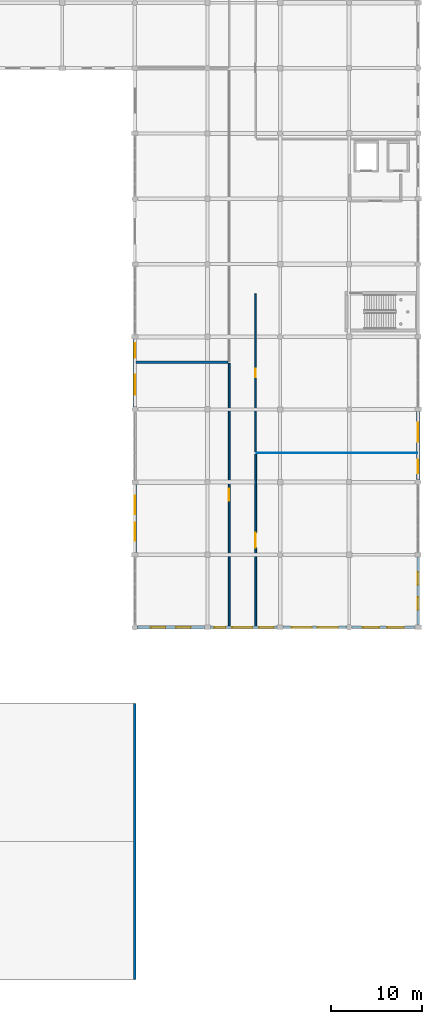
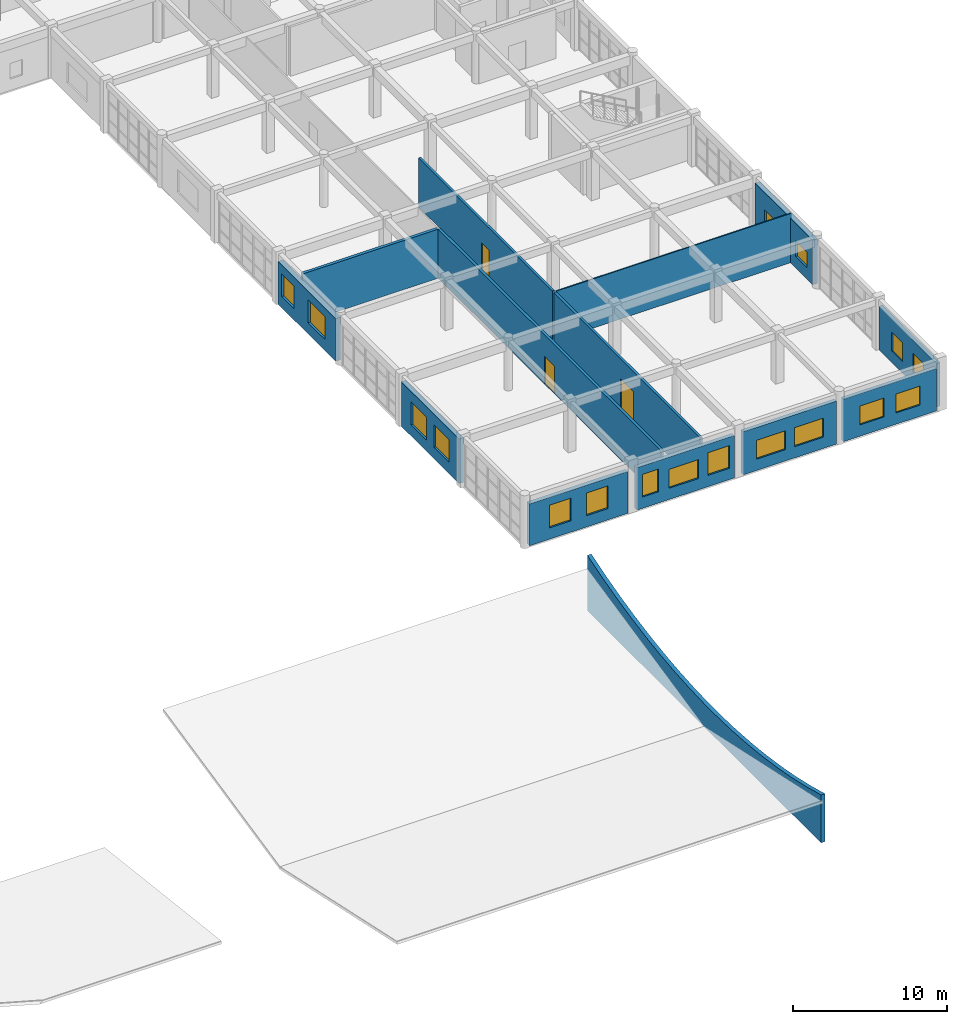
# One storey, part 44 of 53: 17 windows, 14 walls, 3 doors, 20 openings.
"""IFC4 building model written with IfcOpenShell, lengths in metres."""

import ifcopenshell
import ifcopenshell.guid

model = None  # the IFC model being written
_history = None  # IfcOwnerHistory: only IFC2X3 demands one
_inside = {}  # id of a spatial element -> (the spatial element, [elements in it])
_under = {}  # id of a project, library or spatial element -> (it, [spatial elements below it])
_declared = {}  # id of a project -> (the project, [libraries it declares])
_typed = {}  # id of a type object -> (the type object, [elements of that type])
_made_of = {}  # id of a material, layer set ... -> (it, [elements and type objects made of it])


def new_model(schema):
    """Start an empty IFC model of exactly this schema.

    Asked for "IFC4X3", IfcOpenShell would pick the latest addendum, in which some entities
    have other attributes; the version numbers below select the first issue.
    IFC2X3 requires an IfcOwnerHistory on every rooted entity: one is made here for all.
    """
    global model, _history
    if schema == "IFC4X3":
        model = ifcopenshell.file(schema_version=(4, 3, 0, 0))
    else:
        model = ifcopenshell.file(schema=schema)
    _inside.clear()
    _under.clear()
    _declared.clear()
    _typed.clear()
    _made_of.clear()
    _history = None
    if model.schema == "IFC2X3":
        org = make("IfcOrganization", Name="unknown")
        user = make(
            "IfcPersonAndOrganization",
            ThePerson=make("IfcPerson", FamilyName="unknown"),
            TheOrganization=org,
        )
        app = make(
            "IfcApplication",
            ApplicationDeveloper=org,
            Version="unknown",
            ApplicationFullName="unknown",
            ApplicationIdentifier="unknown",
        )
        _history = make(
            "IfcOwnerHistory",
            OwningUser=user,
            OwningApplication=app,
            ChangeAction="ADDED",
            CreationDate=0,
        )
    return model


def make(cls, **values):
    """One entity of the class cls with the attributes given. An attribute that is None is left unset."""
    return model.create_entity(
        cls, **{name: value for name, value in values.items() if value is not None}
    )


def rooted(cls, **values):
    """An entity with a GlobalId (a new one), such as an element, a storey or a relation."""
    return make(cls, GlobalId=ifcopenshell.guid.new(), OwnerHistory=_history, **values)


def si_unit(unit_type, name, prefix=None):
    """IfcSIUnit, for example si_unit("LENGTHUNIT", "METRE", prefix="MILLI")."""
    return make("IfcSIUnit", UnitType=unit_type, Prefix=prefix, Name=name)


def assignment(units):
    """IfcUnitAssignment: the units of a project."""
    return None if units is None else make("IfcUnitAssignment", Units=units)


def point(xyz):
    """IfcCartesianPoint."""
    return None if xyz is None else make("IfcCartesianPoint", Coordinates=xyz)


def direction(xyz):
    """IfcDirection."""
    return None if xyz is None else make("IfcDirection", DirectionRatios=xyz)


def frame(location, z_axis=None, x_axis=None):
    """IfcAxis2Placement3D, a coordinate frame: its origin and axes. An axis left out is left unset."""
    return make(
        "IfcAxis2Placement3D",
        Location=point(location),
        Axis=direction(z_axis),
        RefDirection=direction(x_axis),
    )


def frame_2d(location, x_axis=None):
    """IfcAxis2Placement2D, a coordinate frame in the plane: its origin and x axis."""
    return make(
        "IfcAxis2Placement2D", Location=point(location), RefDirection=direction(x_axis)
    )


def origin():
    """The frame at (0, 0, 0) with its axes left unset."""
    return frame((0.0, 0.0, 0.0))


def place(relative_to, where):
    """IfcLocalPlacement: puts the frame where relative to a parent placement (None: the world)."""
    return make(
        "IfcLocalPlacement", PlacementRelTo=relative_to, RelativePlacement=where
    )


def context(
    kind, dimensions, precision=None, world=None, true_north=None, identifier=None
):
    """IfcGeometricRepresentationContext, for example the 3D "Model" context."""
    return make(
        "IfcGeometricRepresentationContext",
        ContextIdentifier=identifier,
        ContextType=kind,
        CoordinateSpaceDimension=dimensions,
        Precision=precision,
        WorldCoordinateSystem=world,
        TrueNorth=true_north,
    )


def subcontext(parent, identifier, kind, view, scale=None):
    """IfcGeometricRepresentationSubContext, for example "Body" below "Model"."""
    return make(
        "IfcGeometricRepresentationSubContext",
        ContextIdentifier=identifier,
        ContextType=kind,
        ParentContext=parent,
        TargetScale=scale,
        TargetView=view,
    )


def project(units=None, contexts=None):
    """IfcProject with its units and contexts."""
    return rooted(
        "IfcProject",
        Name="project",
        RepresentationContexts=contexts,
        UnitsInContext=assignment(units),
    )


def spatial(cls, under=None, at=None, **own):
    """A site, building, storey or space (cls), placed at a placement, below another one or the project."""
    s = rooted(cls, ObjectPlacement=at, **own)
    if under is not None:
        _under.setdefault(under.id(), (under, []))[1].append(s)
    return s


def polyline(points):
    """IfcPolyline through the points."""
    return make("IfcPolyline", Points=[point(p) for p in points])


def profile(cls, at=None, kind="AREA", **sizes):
    """A parametric profile (cls). Its sizes go by their IFC names, for example OverallWidth=200.0."""
    return make(cls, ProfileType=kind, Position=at, **sizes)


def rectangle(**sizes):
    """IfcRectangleProfileDef."""
    return profile("IfcRectangleProfileDef", **sizes)


def outline(outer, holes=None, kind="AREA"):
    """IfcArbitraryClosedProfileDef: a profile drawn as a closed curve; with holes, ...WithVoids."""
    if holes is None:
        return make("IfcArbitraryClosedProfileDef", ProfileType=kind, OuterCurve=outer)
    return make(
        "IfcArbitraryProfileDefWithVoids",
        ProfileType=kind,
        OuterCurve=outer,
        InnerCurves=holes,
    )


def extrude(swept, where, along, depth):
    """IfcExtrudedAreaSolid: the profile swept, set in the frame where, extruded along a direction by depth."""
    return make(
        "IfcExtrudedAreaSolid",
        SweptArea=swept,
        Position=where,
        ExtrudedDirection=direction(along),
        Depth=depth,
    )


def shape(context_of_items, identifier, shape_type, items):
    """IfcShapeRepresentation: the items that make up one representation, for example the "Body"."""
    return make(
        "IfcShapeRepresentation",
        ContextOfItems=context_of_items,
        RepresentationIdentifier=identifier,
        RepresentationType=shape_type,
        Items=items,
    )


def material(Name=None, Category=None):
    """IfcMaterial."""
    return make("IfcMaterial", Name=Name, Category=Category)


def layer(
    of_material, thickness, ventilated=None, Name=None, Category=None, Priority=None
):
    """IfcMaterialLayer: one layer of a wall or slab, of a material (None: an air gap)."""
    return make(
        "IfcMaterialLayer",
        Material=of_material,
        LayerThickness=thickness,
        IsVentilated=ventilated,
        Name=Name,
        Category=Category,
        Priority=Priority,
    )


def layer_set(layers, Name=None):
    """IfcMaterialLayerSet."""
    return make("IfcMaterialLayerSet", MaterialLayers=layers, LayerSetName=Name)


def made_of(thing, what):
    """Note that an element or type object is made of a material, layer set ...; save() writes the relation."""
    if what is not None:
        _made_of.setdefault(what.id(), (what, []))[1].append(thing)
    return thing


def type_object(cls, material=None, **own):
    """A type object (cls), such as IfcWallType, which elements share."""
    return made_of(rooted(cls, **own), material)


def element(
    cls,
    number,
    at=None,
    inside=None,
    cuts=None,
    type_object=None,
    material=None,
    context=None,
    identifier="Body",
    shape_type=None,
    held_by="IfcProductDefinitionShape",
    body=None,
    shapes=None,
    **own,
):
    """One element of the class cls, such as IfcWall. Its Tag is "e" and its number.

    at: its placement. inside: the storey or other place that contains it. cuts: it is an
    opening in that element (IfcRelVoidsElement). A single representation is given by context,
    identifier, shape_type and body (its items); several are given by shapes. held_by: the class
    of the entity that holds the representations. save() writes the other relations.
    """
    e = rooted(cls, Tag="e%d" % number, ObjectPlacement=at, **own)
    if body is not None:
        shapes = [shape(context, identifier, shape_type, body)]
    if shapes is not None:
        e.Representation = make(held_by, Representations=shapes)
    if inside is not None:
        _inside.setdefault(inside.id(), (inside, []))[1].append(e)
    if cuts is not None:
        rooted(
            "IfcRelVoidsElement", RelatingBuildingElement=cuts, RelatedOpeningElement=e
        )
    if type_object is not None:
        _typed.setdefault(type_object.id(), (type_object, []))[1].append(e)
    return made_of(e, material)


def fill(opening, filler):
    """IfcRelFillsElement: the door or window that sits in an opening."""
    return rooted(
        "IfcRelFillsElement",
        RelatingOpeningElement=opening,
        RelatedBuildingElement=filler,
    )


def aggregate(whole, parts):
    """IfcRelAggregates: a whole, such as a stair, and the parts it consists of."""
    return rooted("IfcRelAggregates", RelatingObject=whole, RelatedObjects=parts)


def save(model, path):
    """Write the relations noted so far, then the file.

    IfcRelAggregates (storeys below a building ...), IfcRelContainedInSpatialStructure (elements
    in a storey), IfcRelDefinesByType, IfcRelAssociatesMaterial and IfcRelDeclares: one each for
    every whole, place, type object, material and project.
    """
    for whole, parts in _under.values():
        aggregate(whole, parts)
    for where, things in _inside.values():
        rooted(
            "IfcRelContainedInSpatialStructure",
            RelatedElements=things,
            RelatingStructure=where,
        )
    for kind, things in _typed.values():
        rooted("IfcRelDefinesByType", RelatedObjects=things, RelatingType=kind)
    for what, things in _made_of.values():
        rooted("IfcRelAssociatesMaterial", RelatedObjects=things, RelatingMaterial=what)
    for by, libraries in _declared.values():
        rooted("IfcRelDeclares", RelatingContext=by, RelatedDefinitions=libraries)
    model.write(path)


model = new_model("IFC4")

# Units and contexts
model_context = context("Model", 3, precision=1e-05, world=origin(), true_north=direction((0.0, 1.0)))
body_context = subcontext(model_context, "Body", "Model", "MODEL_VIEW")
ifc_project = project(units=[si_unit("LENGTHUNIT", "METRE"), si_unit("AREAUNIT", "SQUARE_METRE"), si_unit("VOLUMEUNIT", "CUBIC_METRE"), si_unit("PLANEANGLEUNIT", "RADIAN"), si_unit("MASSUNIT", "GRAM", prefix="KILO")], contexts=[model_context])

# Site, building, storey
site_placement = place(None, origin())
site = spatial("IfcSite", under=ifc_project, at=site_placement, CompositionType="ELEMENT")
building_placement = place(site_placement, origin())
building = spatial("IfcBuilding", under=site, at=building_placement, Name="Kharva Crest Polytechnic", CompositionType="ELEMENT")
storey_placement = place(building_placement, frame((0.0, 0.0, 17.39990234375)))
storey = spatial("IfcBuildingStorey", under=building, at=storey_placement, Name="L04", CompositionType="ELEMENT", Elevation=17.39990234375)

# Wall, openings, windows
ifc_material_1 = material(Name="Kiln brick masonry", Category="masonry")
ifc_layer_1 = layer(ifc_material_1, 0.260009765625, Name="Kiln brick masonry")
ifc_layer_set_1 = layer_set([ifc_layer_1], Name="Kiln brick masonry")
wall_type_1 = type_object("IfcWallType", Name="WL-EXT-BRK-260", PredefinedType="SOLIDWALL", material=ifc_layer_set_1)
wall_1_placement = place(storey_placement, frame((184.0, 39.044921875, 0.0), z_axis=(0.0, 0.0, 1.0), x_axis=(0.0, 1.0, 0.0)))
wall_1 = element("IfcWall", 1, at=wall_1_placement, inside=storey, type_object=wall_type_1, Name="L04 Exterior Brick Wall 415", PredefinedType="SOLIDWALL", context=body_context, shape_type="SweptSolid", body=[
    extrude(rectangle(XDim=7.510009765625, YDim=0.260009765625, at=frame_2d((3.7548828125, 0.0))), origin(), (0.0, 0.0, 1.0), 3.4501953125),
])
opening_1_placement = place(wall_1_placement, frame((1.677001953125, 0.0, 0.89990234375)))
opening_1 = element("IfcOpeningElement", 2, at=opening_1_placement, cuts=wall_1, Name="Opening W15", PredefinedType="OPENING", context=body_context, shape_type="SweptSolid", body=[
    extrude(rectangle(XDim=1.39990234375, YDim=1.5, at=frame_2d((0.699951171875, 0.75))), frame((0.0, 0.139892578125, 0.0), z_axis=(0.0, -1.0, 0.0), x_axis=(1.0, 0.0, 0.0)), (0.0, 0.0, 1.0), 0.280029296875),
])
opening_2_placement = place(wall_1_placement, frame((4.43310546875, 0.0, 0.89990234375)))
opening_2 = element("IfcOpeningElement", 3, at=opening_2_placement, cuts=wall_1, Name="Opening W15", PredefinedType="OPENING", context=body_context, shape_type="SweptSolid", body=[
    extrude(rectangle(XDim=1.39990234375, YDim=1.5, at=frame_2d((0.699951171875, 0.75))), frame((0.0, 0.139892578125, 0.0), z_axis=(0.0, -1.0, 0.0), x_axis=(1.0, 0.0, 0.0)), (0.0, 0.0, 1.0), 0.280029296875),
])
ifc_material_2 = material(Name="Anodised aluminium", Category="aluminium")
window_type_1 = type_object("IfcWindowType", Name="WIN-ALU-1400X1500", PartitioningType="SINGLE_PANEL", PredefinedType="WINDOW", material=ifc_material_2)
window_1_placement = place(opening_1_placement, origin())
window_1 = element("IfcWindow", 4, at=window_1_placement, inside=storey, type_object=window_type_1, Name="L04 Exterior Window 586", OverallHeight=1.5, OverallWidth=1.39990234375, PartitioningType="SINGLE_PANEL", PredefinedType="WINDOW", context=body_context, shape_type="SweptSolid", body=[
    extrude(rectangle(XDim=1.39990234375, YDim=1.5, at=frame_2d((0.699951171875, 0.75))), frame((0.0, 0.030029296875, 0.0), z_axis=(0.0, -1.0, 0.0), x_axis=(1.0, 0.0, 0.0)), (0.0, 0.0, 1.0), 0.06005859375),
])
fill(opening_1, window_1)
window_2_placement = place(opening_2_placement, origin())
window_2 = element("IfcWindow", 5, at=window_2_placement, inside=storey, type_object=window_type_1, Name="L04 Exterior Window 587", OverallHeight=1.5, OverallWidth=1.39990234375, PartitioningType="SINGLE_PANEL", PredefinedType="WINDOW", context=body_context, shape_type="SweptSolid", body=[
    extrude(rectangle(XDim=1.39990234375, YDim=1.5, at=frame_2d((0.699951171875, 0.75))), frame((0.0, 0.030029296875, 0.0), z_axis=(0.0, -1.0, 0.0), x_axis=(1.0, 0.0, 0.0)), (0.0, 0.0, 1.0), 0.06005859375),
])
fill(opening_2, window_2)

ifc_layer_2 = layer(ifc_material_1, 0.27490234375, Name="Kiln brick masonry")
ifc_layer_set_2 = layer_set([ifc_layer_2], Name="Kiln brick masonry")
wall_type_2 = type_object("IfcWallType", Name="WL-EXT-BRK-275", PredefinedType="SOLIDWALL", material=ifc_layer_set_2)
wall_2_placement = place(storey_placement, frame((176.668701171875, 38.800048828125, 0.0), z_axis=(0.0, 0.0, 1.0), x_axis=(1.0, 0.0, 0.0)))
wall_2 = element("IfcWall", 6, at=wall_2_placement, inside=storey, type_object=wall_type_2, Name="L04 Exterior Brick Wall 414", PredefinedType="SOLIDWALL", context=body_context, shape_type="SweptSolid", body=[
    extrude(rectangle(XDim=6.986328125, YDim=0.27490234375, at=frame_2d((3.4931640625, 0.0))), origin(), (0.0, 0.0, 1.0), 3.3701171875),
])
opening_3_placement = place(wall_2_placement, frame((1.235107421875, 0.0, 0.89990234375)))
opening_3 = element("IfcOpeningElement", 7, at=opening_3_placement, cuts=wall_2, Name="Opening W13", PredefinedType="OPENING", context=body_context, shape_type="SweptSolid", body=[
    extrude(rectangle(XDim=1.800048828125, YDim=1.5, at=frame_2d((0.89990234375, 0.75))), frame((0.0, 0.1474609375, 0.0), z_axis=(0.0, -1.0, 0.0), x_axis=(1.0, 0.0, 0.0)), (0.0, 0.0, 1.0), 0.294921875),
])
opening_4_placement = place(wall_2_placement, frame((3.950927734375, 0.0, 0.89990234375)))
opening_4 = element("IfcOpeningElement", 8, at=opening_4_placement, cuts=wall_2, Name="Opening W13", PredefinedType="OPENING", context=body_context, shape_type="SweptSolid", body=[
    extrude(rectangle(XDim=1.800048828125, YDim=1.5, at=frame_2d((0.89990234375, 0.75))), frame((0.0, 0.1474609375, 0.0), z_axis=(0.0, -1.0, 0.0), x_axis=(1.0, 0.0, 0.0)), (0.0, 0.0, 1.0), 0.294921875),
])
window_type_2 = type_object("IfcWindowType", Name="WIN-ALU-1800X1500", PartitioningType="SINGLE_PANEL", PredefinedType="WINDOW", material=ifc_material_2)
window_3_placement = place(opening_3_placement, origin())
window_3 = element("IfcWindow", 9, at=window_3_placement, inside=storey, type_object=window_type_2, Name="L04 Exterior Window 584", OverallHeight=1.5, OverallWidth=1.800048828125, PartitioningType="SINGLE_PANEL", PredefinedType="WINDOW", context=body_context, shape_type="SweptSolid", body=[
    extrude(rectangle(XDim=1.800048828125, YDim=1.5, at=frame_2d((0.89990234375, 0.75))), frame((0.0, 0.030029296875, 0.0), z_axis=(0.0, -1.0, 0.0), x_axis=(1.0, 0.0, 0.0)), (0.0, 0.0, 1.0), 0.06005859375),
])
fill(opening_3, window_3)
window_4_placement = place(opening_4_placement, origin())
window_4 = element("IfcWindow", 10, at=window_4_placement, inside=storey, type_object=window_type_2, Name="L04 Exterior Window 585", OverallHeight=1.5, OverallWidth=1.800048828125, PartitioningType="SINGLE_PANEL", PredefinedType="WINDOW", context=body_context, shape_type="SweptSolid", body=[
    extrude(rectangle(XDim=1.800048828125, YDim=1.5, at=frame_2d((0.89990234375, 0.75))), frame((0.0, 0.030029296875, 0.0), z_axis=(0.0, -1.0, 0.0), x_axis=(1.0, 0.0, 0.0)), (0.0, 0.0, 1.0), 0.06005859375),
])
fill(opening_4, window_4)

ifc_layer_3 = layer(ifc_material_1, 0.2900390625, Name="Kiln brick masonry")
ifc_layer_set_3 = layer_set([ifc_layer_3], Name="Kiln brick masonry")
wall_type_3 = type_object("IfcWallType", Name="WL-EXT-BRK-290", PredefinedType="SOLIDWALL", material=ifc_layer_set_3)
wall_3_placement = place(storey_placement, frame((169.135009765625, 38.800048828125, 0.0), z_axis=(0.0, 0.0, 1.0), x_axis=(1.0, 0.0, 0.0)))
wall_3 = element("IfcWall", 11, at=wall_3_placement, inside=storey, type_object=wall_type_3, Name="L04 Exterior Brick Wall 413", PredefinedType="SOLIDWALL", context=body_context, shape_type="SweptSolid", body=[
    extrude(rectangle(XDim=6.99609375, YDim=0.2900390625, at=frame_2d((3.498046875, 0.0))), origin(), (0.0, 0.0, 1.0), 3.420166015625),
])
opening_5_placement = place(wall_3_placement, frame((0.971923828125, 0.0, 0.89990234375)))
opening_5 = element("IfcOpeningElement", 12, at=opening_5_placement, cuts=wall_3, Name="Opening W11", PredefinedType="OPENING", context=body_context, shape_type="SweptSolid", body=[
    extrude(rectangle(XDim=2.199951171875, YDim=1.5, at=frame_2d((1.10009765625, 0.75))), frame((0.0, 0.155029296875, 0.0), z_axis=(0.0, -1.0, 0.0), x_axis=(1.0, 0.0, 0.0)), (0.0, 0.0, 1.0), 0.31005859375),
])
opening_6_placement = place(wall_3_placement, frame((3.823974609375, 0.0, 0.89990234375)))
opening_6 = element("IfcOpeningElement", 13, at=opening_6_placement, cuts=wall_3, Name="Opening W11", PredefinedType="OPENING", context=body_context, shape_type="SweptSolid", body=[
    extrude(rectangle(XDim=2.199951171875, YDim=1.5, at=frame_2d((1.10009765625, 0.75))), frame((0.0, 0.155029296875, 0.0), z_axis=(0.0, -1.0, 0.0), x_axis=(1.0, 0.0, 0.0)), (0.0, 0.0, 1.0), 0.31005859375),
])
window_type_3 = type_object("IfcWindowType", Name="WIN-ALU-2200X1500", PartitioningType="SINGLE_PANEL", PredefinedType="WINDOW", material=ifc_material_2)
window_5_placement = place(opening_5_placement, origin())
window_5 = element("IfcWindow", 14, at=window_5_placement, inside=storey, type_object=window_type_3, Name="L04 Exterior Window 582", OverallHeight=1.5, OverallWidth=2.199951171875, PartitioningType="SINGLE_PANEL", PredefinedType="WINDOW", context=body_context, shape_type="SweptSolid", body=[
    extrude(rectangle(XDim=2.199951171875, YDim=1.5, at=frame_2d((1.10009765625, 0.75))), frame((0.0, 0.030029296875, 0.0), z_axis=(0.0, -1.0, 0.0), x_axis=(1.0, 0.0, 0.0)), (0.0, 0.0, 1.0), 0.06005859375),
])
fill(opening_5, window_5)
window_6_placement = place(opening_6_placement, origin())
window_6 = element("IfcWindow", 15, at=window_6_placement, inside=storey, type_object=window_type_3, Name="L04 Exterior Window 583", OverallHeight=1.5, OverallWidth=2.199951171875, PartitioningType="SINGLE_PANEL", PredefinedType="WINDOW", context=body_context, shape_type="SweptSolid", body=[
    extrude(rectangle(XDim=2.199951171875, YDim=1.5, at=frame_2d((1.10009765625, 0.75))), frame((0.0, 0.030029296875, 0.0), z_axis=(0.0, -1.0, 0.0), x_axis=(1.0, 0.0, 0.0)), (0.0, 0.0, 1.0), 0.06005859375),
])
fill(opening_6, window_6)

ifc_layer_4 = layer(ifc_material_1, 0.304931640625, Name="Kiln brick masonry")
ifc_layer_set_4 = layer_set([ifc_layer_4], Name="Kiln brick masonry")
wall_type_4 = type_object("IfcWallType", Name="WL-EXT-BRK-305", PredefinedType="SOLIDWALL", material=ifc_layer_set_4)
wall_4_placement = place(storey_placement, frame((161.14501953125, 38.800048828125, 0.0), z_axis=(0.0, 0.0, 1.0), x_axis=(1.0, 0.0, 0.0)))
wall_4 = element("IfcWall", 16, at=wall_4_placement, inside=storey, type_object=wall_type_4, Name="L04 Exterior Brick Wall 412", PredefinedType="SOLIDWALL", context=body_context, shape_type="SweptSolid", body=[
    extrude(rectangle(XDim=7.320068359375, YDim=0.304931640625, at=frame_2d((3.66015625, 0.0))), origin(), (0.0, 0.0, 1.0), 3.3701171875),
])
opening_7_placement = place(wall_4_placement, frame((0.422119140625, 0.0, 0.89990234375)))
opening_7 = element("IfcOpeningElement", 17, at=opening_7_placement, cuts=wall_4, Name="Opening W08", PredefinedType="OPENING", context=body_context, shape_type="SweptSolid", body=[
    extrude(rectangle(XDim=1.199951171875, YDim=1.800048828125, at=frame_2d((0.60009765625, 0.89990234375))), frame((0.0, 0.162353515625, 0.0), z_axis=(0.0, -1.0, 0.0), x_axis=(1.0, 0.0, 0.0)), (0.0, 0.0, 1.0), 0.324951171875),
])
opening_8_placement = place(wall_4_placement, frame((2.405029296875, 0.0, 0.89990234375)))
opening_8 = element("IfcOpeningElement", 18, at=opening_8_placement, cuts=wall_4, Name="Opening W11", PredefinedType="OPENING", context=body_context, shape_type="SweptSolid", body=[
    extrude(rectangle(XDim=2.199951171875, YDim=1.5, at=frame_2d((1.10009765625, 0.75))), frame((0.0, 0.162353515625, 0.0), z_axis=(0.0, -1.0, 0.0), x_axis=(1.0, 0.0, 0.0)), (0.0, 0.0, 1.0), 0.324951171875),
])
opening_9_placement = place(wall_4_placement, frame((5.342041015625, 0.0, 0.89990234375)))
opening_9 = element("IfcOpeningElement", 19, at=opening_9_placement, cuts=wall_4, Name="Opening W06", PredefinedType="OPENING", context=body_context, shape_type="SweptSolid", body=[
    extrude(rectangle(XDim=1.60009765625, YDim=1.800048828125, at=frame_2d((0.800048828125, 0.89990234375))), frame((0.0, 0.162353515625, 0.0), z_axis=(0.0, -1.0, 0.0), x_axis=(1.0, 0.0, 0.0)), (0.0, 0.0, 1.0), 0.324951171875),
])
window_type_4 = type_object("IfcWindowType", Name="WIN-ALU-1200X1800", PartitioningType="SINGLE_PANEL", PredefinedType="WINDOW", material=ifc_material_2)
window_7_placement = place(opening_7_placement, origin())
window_7 = element("IfcWindow", 20, at=window_7_placement, inside=storey, type_object=window_type_4, Name="L04 Exterior Window 579", OverallHeight=1.800048828125, OverallWidth=1.199951171875, PartitioningType="SINGLE_PANEL", PredefinedType="WINDOW", context=body_context, shape_type="SweptSolid", body=[
    extrude(rectangle(XDim=1.199951171875, YDim=1.800048828125, at=frame_2d((0.60009765625, 0.89990234375))), frame((0.0, 0.030029296875, 0.0), z_axis=(0.0, -1.0, 0.0), x_axis=(1.0, 0.0, 0.0)), (0.0, 0.0, 1.0), 0.06005859375),
])
fill(opening_7, window_7)
window_type_5 = type_object("IfcWindowType", Name="WIN-ALU-1600X1800", PartitioningType="SINGLE_PANEL", PredefinedType="WINDOW", material=ifc_material_2)
window_8_placement = place(opening_9_placement, origin())
window_8 = element("IfcWindow", 21, at=window_8_placement, inside=storey, type_object=window_type_5, Name="L04 Exterior Window 581", OverallHeight=1.800048828125, OverallWidth=1.60009765625, PartitioningType="SINGLE_PANEL", PredefinedType="WINDOW", context=body_context, shape_type="SweptSolid", body=[
    extrude(rectangle(XDim=1.60009765625, YDim=1.800048828125, at=frame_2d((0.800048828125, 0.89990234375))), frame((0.0, 0.030029296875, 0.0), z_axis=(0.0, -1.0, 0.0), x_axis=(1.0, 0.0, 0.0)), (0.0, 0.0, 1.0), 0.06005859375),
])
fill(opening_9, window_8)
window_9_placement = place(opening_8_placement, origin())
window_9 = element("IfcWindow", 22, at=window_9_placement, inside=storey, type_object=window_type_3, Name="L04 Exterior Window 580", OverallHeight=1.5, OverallWidth=2.199951171875, PartitioningType="SINGLE_PANEL", PredefinedType="WINDOW", context=body_context, shape_type="SweptSolid", body=[
    extrude(rectangle(XDim=2.199951171875, YDim=1.5, at=frame_2d((1.10009765625, 0.75))), frame((0.0, 0.030029296875, 0.0), z_axis=(0.0, -1.0, 0.0), x_axis=(1.0, 0.0, 0.0)), (0.0, 0.0, 1.0), 0.06005859375),
])
fill(opening_8, window_9)

ifc_layer_5 = layer(ifc_material_1, 0.320068359375, Name="Kiln brick masonry")
ifc_layer_set_5 = layer_set([ifc_layer_5], Name="Kiln brick masonry")
wall_type_5 = type_object("IfcWallType", Name="WL-EXT-BRK-320", PredefinedType="SOLIDWALL", material=ifc_layer_set_5)
wall_5_placement = place(storey_placement, frame((153.06884765625, 38.800048828125, 0.0), z_axis=(0.0, 0.0, 1.0), x_axis=(1.0, 0.0, 0.0)))
wall_5 = element("IfcWall", 23, at=wall_5_placement, inside=storey, type_object=wall_type_5, Name="L04 Exterior Brick Wall 411", PredefinedType="SOLIDWALL", context=body_context, shape_type="SweptSolid", body=[
    extrude(rectangle(XDim=7.38623046875, YDim=0.320068359375, at=frame_2d((3.693115234375, 0.0))), origin(), (0.0, 0.0, 1.0), 3.320068359375),
])
opening_10_placement = place(wall_5_placement, frame((1.501953125, 0.0, 0.89990234375)))
opening_10 = element("IfcOpeningElement", 24, at=opening_10_placement, cuts=wall_5, Name="Opening W06", PredefinedType="OPENING", context=body_context, shape_type="SweptSolid", body=[
    extrude(rectangle(XDim=1.60009765625, YDim=1.800048828125, at=frame_2d((0.800048828125, 0.89990234375))), frame((0.0, 0.169921875, 0.0), z_axis=(0.0, -1.0, 0.0), x_axis=(1.0, 0.0, 0.0)), (0.0, 0.0, 1.0), 0.340087890625),
])
opening_11_placement = place(wall_5_placement, frame((4.283935546875, 0.0, 0.89990234375)))
opening_11 = element("IfcOpeningElement", 25, at=opening_11_placement, cuts=wall_5, Name="Opening W06", PredefinedType="OPENING", context=body_context, shape_type="SweptSolid", body=[
    extrude(rectangle(XDim=1.60009765625, YDim=1.800048828125, at=frame_2d((0.800048828125, 0.89990234375))), frame((0.0, 0.169921875, 0.0), z_axis=(0.0, -1.0, 0.0), x_axis=(1.0, 0.0, 0.0)), (0.0, 0.0, 1.0), 0.340087890625),
])
window_10_placement = place(opening_10_placement, origin())
window_10 = element("IfcWindow", 26, at=window_10_placement, inside=storey, type_object=window_type_5, Name="L04 Exterior Window 577", OverallHeight=1.800048828125, OverallWidth=1.60009765625, PartitioningType="SINGLE_PANEL", PredefinedType="WINDOW", context=body_context, shape_type="SweptSolid", body=[
    extrude(rectangle(XDim=1.60009765625, YDim=1.800048828125, at=frame_2d((0.800048828125, 0.89990234375))), frame((0.0, 0.030029296875, 0.0), z_axis=(0.0, -1.0, 0.0), x_axis=(1.0, 0.0, 0.0)), (0.0, 0.0, 1.0), 0.06005859375),
])
fill(opening_10, window_10)
window_11_placement = place(opening_11_placement, origin())
window_11 = element("IfcWindow", 27, at=window_11_placement, inside=storey, type_object=window_type_5, Name="L04 Exterior Window 578", OverallHeight=1.800048828125, OverallWidth=1.60009765625, PartitioningType="SINGLE_PANEL", PredefinedType="WINDOW", context=body_context, shape_type="SweptSolid", body=[
    extrude(rectangle(XDim=1.60009765625, YDim=1.800048828125, at=frame_2d((0.800048828125, 0.89990234375))), frame((0.0, 0.030029296875, 0.0), z_axis=(0.0, -1.0, 0.0), x_axis=(1.0, 0.0, 0.0)), (0.0, 0.0, 1.0), 0.06005859375),
])
fill(opening_11, window_11)

ifc_layer_6 = layer(ifc_material_1, 0.35009765625, Name="Kiln brick masonry")
ifc_layer_set_6 = layer_set([ifc_layer_6], Name="Kiln brick masonry")
wall_type_6 = type_object("IfcWallType", Name="WL-EXT-BRK-350", PredefinedType="SOLIDWALL", material=ifc_layer_set_6)
wall_6_placement = place(storey_placement, frame((152.800048828125, 54.554931640625, 0.0), z_axis=(0.0, 0.0, 1.0), x_axis=(0.0, -1.0, 0.0)))
wall_6 = element("IfcWall", 28, at=wall_6_placement, inside=storey, type_object=wall_type_6, Name="L04 Exterior Brick Wall 410", PredefinedType="SOLIDWALL", context=body_context, shape_type="SweptSolid", body=[
    extrude(rectangle(XDim=7.510009765625, YDim=0.35009765625, at=frame_2d((3.7548828125, 0.0))), origin(), (0.0, 0.0, 1.0), 3.530029296875),
])
opening_12_placement = place(wall_6_placement, frame((1.277099609375, 0.0, 0.89990234375)))
opening_12 = element("IfcOpeningElement", 29, at=opening_12_placement, cuts=wall_6, Name="Opening W04", PredefinedType="OPENING", context=body_context, shape_type="SweptSolid", body=[
    extrude(rectangle(XDim=2.0, YDim=1.800048828125, at=frame_2d((1.0, 0.89990234375))), frame((0.0, 0.18505859375, 0.0), z_axis=(0.0, -1.0, 0.0), x_axis=(1.0, 0.0, 0.0)), (0.0, 0.0, 1.0), 0.3701171875),
])
opening_13_placement = place(wall_6_placement, frame((4.23291015625, 0.0, 0.89990234375)))
opening_13 = element("IfcOpeningElement", 30, at=opening_13_placement, cuts=wall_6, Name="Opening W04", PredefinedType="OPENING", context=body_context, shape_type="SweptSolid", body=[
    extrude(rectangle(XDim=2.0, YDim=1.800048828125, at=frame_2d((1.0, 0.89990234375))), frame((0.0, 0.18505859375, 0.0), z_axis=(0.0, -1.0, 0.0), x_axis=(1.0, 0.0, 0.0)), (0.0, 0.0, 1.0), 0.3701171875),
])
window_type_6 = type_object("IfcWindowType", Name="WIN-ALU-2000X1800", PartitioningType="SINGLE_PANEL", PredefinedType="WINDOW", material=ifc_material_2)
window_12_placement = place(opening_12_placement, origin())
window_12 = element("IfcWindow", 31, at=window_12_placement, inside=storey, type_object=window_type_6, Name="L04 Exterior Window 575", OverallHeight=1.800048828125, OverallWidth=2.0, PartitioningType="SINGLE_PANEL", PredefinedType="WINDOW", context=body_context, shape_type="SweptSolid", body=[
    extrude(rectangle(XDim=2.0, YDim=1.800048828125, at=frame_2d((1.0, 0.89990234375))), frame((0.0, 0.030029296875, 0.0), z_axis=(0.0, -1.0, 0.0), x_axis=(1.0, 0.0, 0.0)), (0.0, 0.0, 1.0), 0.06005859375),
])
fill(opening_12, window_12)
window_13_placement = place(opening_13_placement, origin())
window_13 = element("IfcWindow", 32, at=window_13_placement, inside=storey, type_object=window_type_6, Name="L04 Exterior Window 576", OverallHeight=1.800048828125, OverallWidth=2.0, PartitioningType="SINGLE_PANEL", PredefinedType="WINDOW", context=body_context, shape_type="SweptSolid", body=[
    extrude(rectangle(XDim=2.0, YDim=1.800048828125, at=frame_2d((1.0, 0.89990234375))), frame((0.0, 0.030029296875, 0.0), z_axis=(0.0, -1.0, 0.0), x_axis=(1.0, 0.0, 0.0)), (0.0, 0.0, 1.0), 0.06005859375),
])
fill(opening_13, window_13)

ifc_layer_7 = layer(ifc_material_1, 0.364990234375, Name="Kiln brick masonry")
ifc_layer_set_7 = layer_set([ifc_layer_7], Name="Kiln brick masonry")
wall_type_7 = type_object("IfcWallType", Name="WL-EXT-BRK-365", PredefinedType="SOLIDWALL", material=ifc_layer_set_7)
wall_7_placement = place(storey_placement, frame((184.0, 55.06884765625, 0.0), z_axis=(0.0, 0.0, 1.0), x_axis=(0.0, 1.0, 0.0)))
wall_7 = element("IfcWall", 33, at=wall_7_placement, inside=storey, type_object=wall_type_7, Name="L04 Exterior Brick Wall 416", PredefinedType="SOLIDWALL", context=body_context, shape_type="SweptSolid", body=[
    extrude(rectangle(XDim=7.486083984375, YDim=0.364990234375, at=frame_2d((3.7431640625, 0.0))), origin(), (0.0, 0.0, 1.0), 3.530029296875),
])
opening_14_placement = place(wall_7_placement, frame((0.716064453125, 0.0, 0.89990234375)))
opening_14 = element("IfcOpeningElement", 34, at=opening_14_placement, cuts=wall_7, Name="Opening W20", PredefinedType="OPENING", context=body_context, shape_type="SweptSolid", body=[
    extrude(rectangle(XDim=1.5, YDim=1.25, at=frame_2d((0.75, 0.625))), frame((0.0, 0.1923828125, 0.0), z_axis=(0.0, -1.0, 0.0), x_axis=(1.0, 0.0, 0.0)), (0.0, 0.0, 1.0), 0.385009765625),
])
opening_15_placement = place(wall_7_placement, frame((4.158935546875, 0.0, 0.89990234375)))
opening_15 = element("IfcOpeningElement", 35, at=opening_15_placement, cuts=wall_7, Name="Opening W18", PredefinedType="OPENING", context=body_context, shape_type="SweptSolid", body=[
    extrude(rectangle(XDim=2.10009765625, YDim=1.25, at=frame_2d((1.050048828125, 0.625))), frame((0.0, 0.1923828125, 0.0), z_axis=(0.0, -1.0, 0.0), x_axis=(1.0, 0.0, 0.0)), (0.0, 0.0, 1.0), 0.385009765625),
])
window_type_7 = type_object("IfcWindowType", Name="WIN-ALU-1500X1250", PartitioningType="SINGLE_PANEL", PredefinedType="WINDOW", material=ifc_material_2)
window_14_placement = place(opening_14_placement, origin())
window_14 = element("IfcWindow", 36, at=window_14_placement, inside=storey, type_object=window_type_7, Name="L04 Exterior Window 588", OverallHeight=1.25, OverallWidth=1.5, PartitioningType="SINGLE_PANEL", PredefinedType="WINDOW", context=body_context, shape_type="SweptSolid", body=[
    extrude(rectangle(XDim=1.5, YDim=1.25, at=frame_2d((0.75, 0.625))), frame((0.0, 0.030029296875, 0.0), z_axis=(0.0, -1.0, 0.0), x_axis=(1.0, 0.0, 0.0)), (0.0, 0.0, 1.0), 0.06005859375),
])
fill(opening_14, window_14)
window_type_8 = type_object("IfcWindowType", Name="WIN-ALU-2100X1250", PartitioningType="SINGLE_PANEL", PredefinedType="WINDOW", material=ifc_material_2)
window_15_placement = place(opening_15_placement, origin())
window_15 = element("IfcWindow", 37, at=window_15_placement, inside=storey, type_object=window_type_8, Name="L04 Exterior Window 589", OverallHeight=1.25, OverallWidth=2.10009765625, PartitioningType="SINGLE_PANEL", PredefinedType="WINDOW", context=body_context, shape_type="SweptSolid", body=[
    extrude(rectangle(XDim=2.10009765625, YDim=1.25, at=frame_2d((1.050048828125, 0.625))), frame((0.0, 0.030029296875, 0.0), z_axis=(0.0, -1.0, 0.0), x_axis=(1.0, 0.0, 0.0)), (0.0, 0.0, 1.0), 0.06005859375),
])
fill(opening_15, window_15)

ifc_layer_8 = layer(ifc_material_1, 0.3798828125, Name="Kiln brick masonry")
ifc_layer_set_8 = layer_set([ifc_layer_8], Name="Kiln brick masonry")
wall_type_8 = type_object("IfcWallType", Name="WL-EXT-BRK-380", PredefinedType="SOLIDWALL", material=ifc_layer_set_8)
wall_8_placement = place(storey_placement, frame((152.800048828125, 70.554931640625, 0.0), z_axis=(0.0, 0.0, 1.0), x_axis=(0.0, -1.0, 0.0)))
wall_8 = element("IfcWall", 38, at=wall_8_placement, inside=storey, type_object=wall_type_8, Name="L04 Exterior Brick Wall 409", PredefinedType="SOLIDWALL", context=body_context, shape_type="SweptSolid", body=[
    extrude(rectangle(XDim=7.486083984375, YDim=0.3798828125, at=frame_2d((3.7431640625, 0.0))), origin(), (0.0, 0.0, 1.0), 3.39013671875),
])
opening_16_placement = place(wall_8_placement, frame((0.471923828125, 0.0, 0.89990234375)))
opening_16 = element("IfcOpeningElement", 39, at=opening_16_placement, cuts=wall_8, Name="Opening W06", PredefinedType="OPENING", context=body_context, shape_type="SweptSolid", body=[
    extrude(rectangle(XDim=1.60009765625, YDim=1.800048828125, at=frame_2d((0.800048828125, 0.89990234375))), frame((0.0, 0.199951171875, 0.0), z_axis=(0.0, -1.0, 0.0), x_axis=(1.0, 0.0, 0.0)), (0.0, 0.0, 1.0), 0.39990234375),
])
opening_17_placement = place(wall_8_placement, frame((3.916015625, 0.0, 0.89990234375)))
opening_17 = element("IfcOpeningElement", 40, at=opening_17_placement, cuts=wall_8, Name="Opening W03", PredefinedType="OPENING", context=body_context, shape_type="SweptSolid", body=[
    extrude(rectangle(XDim=2.199951171875, YDim=1.800048828125, at=frame_2d((1.10009765625, 0.89990234375))), frame((0.0, 0.199951171875, 0.0), z_axis=(0.0, -1.0, 0.0), x_axis=(1.0, 0.0, 0.0)), (0.0, 0.0, 1.0), 0.39990234375),
])
window_16_placement = place(opening_16_placement, origin())
window_16 = element("IfcWindow", 41, at=window_16_placement, inside=storey, type_object=window_type_5, Name="L04 Exterior Window 573", OverallHeight=1.800048828125, OverallWidth=1.60009765625, PartitioningType="SINGLE_PANEL", PredefinedType="WINDOW", context=body_context, shape_type="SweptSolid", body=[
    extrude(rectangle(XDim=1.60009765625, YDim=1.800048828125, at=frame_2d((0.800048828125, 0.89990234375))), frame((0.0, 0.030029296875, 0.0), z_axis=(0.0, -1.0, 0.0), x_axis=(1.0, 0.0, 0.0)), (0.0, 0.0, 1.0), 0.06005859375),
])
fill(opening_16, window_16)
window_type_9 = type_object("IfcWindowType", Name="WIN-ALU-2200X1800", PartitioningType="SINGLE_PANEL", PredefinedType="WINDOW", material=ifc_material_2)
window_17_placement = place(opening_17_placement, origin())
window_17 = element("IfcWindow", 42, at=window_17_placement, inside=storey, type_object=window_type_9, Name="L04 Exterior Window 574", OverallHeight=1.800048828125, OverallWidth=2.199951171875, PartitioningType="SINGLE_PANEL", PredefinedType="WINDOW", context=body_context, shape_type="SweptSolid", body=[
    extrude(rectangle(XDim=2.199951171875, YDim=1.800048828125, at=frame_2d((1.10009765625, 0.89990234375))), frame((0.0, 0.030029296875, 0.0), z_axis=(0.0, -1.0, 0.0), x_axis=(1.0, 0.0, 0.0)), (0.0, 0.0, 1.0), 0.06005859375),
])
fill(opening_17, window_17)

# Wall, opening, door
ifc_layer_9 = layer(ifc_material_1, 0.199951171875, Name="Kiln brick masonry")
ifc_layer_set_9 = layer_set([ifc_layer_9], Name="Kiln brick masonry")
wall_type_9 = type_object("IfcWallType", Name="WL-FIRE-FW1-200", PredefinedType="SOLIDWALL", material=ifc_layer_set_9)
wall_9_placement = place(storey_placement, frame((163.18994140625, 38.909912109375, 0.0), z_axis=(0.0, 0.0, 1.0), x_axis=(0.0, 1.0, 0.0)))
wall_9 = element("IfcWall", 43, at=wall_9_placement, inside=storey, type_object=wall_type_9, Name="L04 Interior Partition 357", PredefinedType="SOLIDWALL", context=body_context, shape_type="SweptSolid", body=[
    extrude(rectangle(XDim=28.97998046875, YDim=0.199951171875, at=frame_2d((14.489990234375, 0.0))), origin(), (0.0, 0.0, 1.0), 3.900146484375),
])
opening_18_placement = place(wall_9_placement, frame((13.81494140625, 0.0, 0.0)))
opening_18 = element("IfcOpeningElement", 44, at=opening_18_placement, cuts=wall_9, Name="Opening ID6", PredefinedType="OPENING", context=body_context, shape_type="SweptSolid", body=[
    extrude(rectangle(XDim=1.35009765625, YDim=2.199951171875, at=frame_2d((0.675048828125, 1.10009765625))), frame((0.0, 0.10986328125, 0.0), z_axis=(0.0, -1.0, 0.0), x_axis=(1.0, 0.0, 0.0)), (0.0, 0.0, 1.0), 0.219970703125),
])
ifc_material_3 = material(Name="Teak timber", Category="wood")
door_type_1 = type_object("IfcDoorType", Name="DR-LAB-1350X2200", OperationType="NOTDEFINED", PredefinedType="DOOR", material=ifc_material_3)
door_1_placement = place(opening_18_placement, origin())
door_1 = element("IfcDoor", 45, at=door_1_placement, inside=storey, type_object=door_type_1, Name="L04 Environmental Simulation Laboratory Door", OperationType="SINGLE_SWING_RIGHT", OverallHeight=2.199951171875, OverallWidth=1.35009765625, PredefinedType="DOOR", context=body_context, shape_type="SweptSolid", body=[
    extrude(rectangle(XDim=1.35009765625, YDim=2.199951171875, at=frame_2d((0.675048828125, 1.10009765625))), frame((0.0, 0.02490234375, 0.0), z_axis=(0.0, -1.0, 0.0), x_axis=(1.0, 0.0, 0.0)), (0.0, 0.0, 1.0), 0.050048828125),
])
fill(opening_18, door_1)

# Walls
ifc_layer_10 = layer(ifc_material_1, 0.294921875, Name="Kiln brick masonry")
ifc_layer_set_10 = layer_set([ifc_layer_10], Name="Kiln brick masonry")
wall_type_10 = type_object("IfcWallType", Name="WL-PAR-CREST-295", PredefinedType="PARAPET", material=ifc_layer_set_10)
wall_10_placement = place(storey_placement, frame((152.800048828125, 0.0, 0.0), z_axis=(0.0, 0.0, 1.0), x_axis=(0.0, 1.0, 0.0)))
element("IfcWall", 46, at=wall_10_placement, inside=storey, type_object=wall_type_10, Name="L04 Bowed Brick Gable Crest 10", PredefinedType="PARAPET", context=body_context, shape_type="SweptSolid", body=[
    extrude(outline(polyline([(0.0, 0.0), (30.39990234375, 0.0), (30.39990234375, 4.400146484375), (28.5, 3.81787109375), (26.60009765625, 3.31396484375), (24.699951171875, 2.8857421875), (22.800048828125, 2.53125), (20.89990234375, 2.249267578125), (19.0, 2.03857421875), (17.10009765625, 1.898193359375), (15.199951171875, 1.82763671875), (13.300048828125, 1.826416015625), (11.39990234375, 1.894775390625), (9.5, 2.032958984375), (7.60009765625, 2.2412109375), (5.699951171875, 2.52099609375), (3.800048828125, 2.872802734375), (1.89990234375, 3.298583984375), (0.0, 3.800048828125), (0.0, 0.0)])), frame((0.0, 0.1474609375, 0.0), z_axis=(0.0, -1.0, 0.0), x_axis=(1.0, 0.0, 0.0)), (0.0, 0.0, 1.0), 0.294921875),
])
ifc_layer_11 = layer(ifc_material_1, 0.090087890625, Name="Kiln brick masonry")
ifc_layer_set_11 = layer_set([ifc_layer_11], Name="Kiln brick masonry")
wall_type_11 = type_object("IfcWallType", Name="WL-PART-090", PredefinedType="PARTITIONING", material=ifc_layer_set_11)
wall_11_placement = place(storey_placement, frame((166.219970703125, 58.0, 0.0), z_axis=(0.0, 0.0, 1.0), x_axis=(1.0, 0.0, 0.0)))
element("IfcWall", 47, at=wall_11_placement, inside=storey, type_object=wall_type_11, Name="L04 Interior Partition 359", PredefinedType="PARTITIONING", context=body_context, shape_type="SweptSolid", body=[
    extrude(rectangle(XDim=17.669921875, YDim=0.090087890625, at=frame_2d((8.8349609375, 0.0))), origin(), (0.0, 0.0, 1.0), 3.900146484375),
])

# Wall, opening, door
ifc_layer_12 = layer(ifc_material_1, 0.169921875, Name="Kiln brick masonry")
ifc_layer_set_12 = layer_set([ifc_layer_12], Name="Kiln brick masonry")
wall_type_12 = type_object("IfcWallType", Name="WL-PART-170", PredefinedType="PARTITIONING", material=ifc_layer_set_12)
wall_12_placement = place(storey_placement, frame((166.110107421875, 58.1201171875, 0.0), z_axis=(0.0, 0.0, 1.0), x_axis=(0.0, 1.0, 0.0)))
wall_12 = element("IfcWall", 48, at=wall_12_placement, inside=storey, type_object=wall_type_12, Name="L04 Interior Partition 361", PredefinedType="PARTITIONING", context=body_context, shape_type="SweptSolid", body=[
    extrude(rectangle(XDim=17.409912109375, YDim=0.169921875, at=frame_2d((8.705078125, 0.0))), origin(), (0.0, 0.0, 1.0), 3.900146484375),
])
opening_19_placement = place(wall_12_placement, frame((8.22509765625, 0.0, 0.0)))
opening_19 = element("IfcOpeningElement", 49, at=opening_19_placement, cuts=wall_12, Name="Opening ID13", PredefinedType="OPENING", context=body_context, shape_type="SweptSolid", body=[
    extrude(rectangle(XDim=0.9599609375, YDim=2.14990234375, at=frame_2d((0.47998046875, 1.074951171875))), frame((0.0, 0.094970703125, 0.0), z_axis=(0.0, -1.0, 0.0), x_axis=(1.0, 0.0, 0.0)), (0.0, 0.0, 1.0), 0.18994140625),
])
door_type_2 = type_object("IfcDoorType", Name="DR-OFF-960X2150", OperationType="NOTDEFINED", PredefinedType="DOOR", material=ifc_material_3)
door_2_placement = place(opening_19_placement, origin())
door_2 = element("IfcDoor", 50, at=door_2_placement, inside=storey, type_object=door_type_2, Name="L04 Departmental Office L04-E Door", OperationType="SINGLE_SWING_RIGHT", OverallHeight=2.14990234375, OverallWidth=0.9599609375, PredefinedType="DOOR", context=body_context, shape_type="SweptSolid", body=[
    extrude(rectangle(XDim=0.9599609375, YDim=2.14990234375, at=frame_2d((0.47998046875, 1.074951171875))), frame((0.0, 0.02490234375, 0.0), z_axis=(0.0, -1.0, 0.0), x_axis=(1.0, 0.0, 0.0)), (0.0, 0.0, 1.0), 0.050048828125),
])
fill(opening_19, door_2)

ifc_layer_13 = layer(ifc_material_1, 0.179931640625, Name="Kiln brick masonry")
ifc_layer_set_13 = layer_set([ifc_layer_13], Name="Kiln brick masonry")
wall_type_13 = type_object("IfcWallType", Name="WL-PART-180", PredefinedType="PARTITIONING", material=ifc_layer_set_13)
wall_13_placement = place(storey_placement, frame((166.110107421875, 38.909912109375, 0.0), z_axis=(0.0, 0.0, 1.0), x_axis=(0.0, 1.0, 0.0)))
wall_13 = element("IfcWall", 51, at=wall_13_placement, inside=storey, type_object=wall_type_13, Name="L04 Interior Partition 360", PredefinedType="PARTITIONING", context=body_context, shape_type="SweptSolid", body=[
    extrude(rectangle(XDim=18.97998046875, YDim=0.179931640625, at=frame_2d((9.489990234375, 0.0))), origin(), (0.0, 0.0, 1.0), 3.900146484375),
])
opening_20_placement = place(wall_13_placement, frame((8.6650390625, 0.0, 0.0)))
opening_20 = element("IfcOpeningElement", 52, at=opening_20_placement, cuts=wall_13, Name="Opening ID3", PredefinedType="OPENING", context=body_context, shape_type="SweptSolid", body=[
    extrude(rectangle(XDim=1.64990234375, YDim=2.300048828125, at=frame_2d((0.824951171875, 1.14990234375))), frame((0.0, 0.099853515625, 0.0), z_axis=(0.0, -1.0, 0.0), x_axis=(1.0, 0.0, 0.0)), (0.0, 0.0, 1.0), 0.199951171875),
])
door_type_3 = type_object("IfcDoorType", Name="DR-WKSHP-DBL-1650X2300", OperationType="NOTDEFINED", PredefinedType="DOOR", material=ifc_material_3)
door_3_placement = place(opening_20_placement, origin())
door_3 = element("IfcDoor", 53, at=door_3_placement, inside=storey, type_object=door_type_3, Name="L04 Model Photography Workshop L04 Door", OperationType="DOUBLE_DOOR_SINGLE_SWING", OverallHeight=2.300048828125, OverallWidth=1.64990234375, PredefinedType="DOOR", context=body_context, shape_type="SweptSolid", body=[
    extrude(rectangle(XDim=1.64990234375, YDim=2.300048828125, at=frame_2d((0.824951171875, 1.14990234375))), frame((0.0, 0.02490234375, 0.0), z_axis=(0.0, -1.0, 0.0), x_axis=(1.0, 0.0, 0.0)), (0.0, 0.0, 1.0), 0.050048828125),
])
fill(opening_20, door_3)

# Wall
ifc_layer_14 = layer(ifc_material_1, 0.22509765625, Name="Kiln brick masonry")
ifc_layer_set_14 = layer_set([ifc_layer_14], Name="Kiln brick masonry")
wall_type_14 = type_object("IfcWallType", Name="WL-PART-225", PredefinedType="PARTITIONING", material=ifc_layer_set_14)
wall_14_placement = place(storey_placement, frame((152.909912109375, 68.0, 0.0), z_axis=(0.0, 0.0, 1.0), x_axis=(1.0, 0.0, 0.0)))
element("IfcWall", 54, at=wall_14_placement, inside=storey, type_object=wall_type_14, Name="L04 Interior Partition 356", PredefinedType="PARTITIONING", context=body_context, shape_type="SweptSolid", body=[
    extrude(rectangle(XDim=10.170166015625, YDim=0.22509765625, at=frame_2d((5.0849609375, 0.0))), origin(), (0.0, 0.0, 1.0), 3.900146484375),
])

save(model, "model.ifc")
